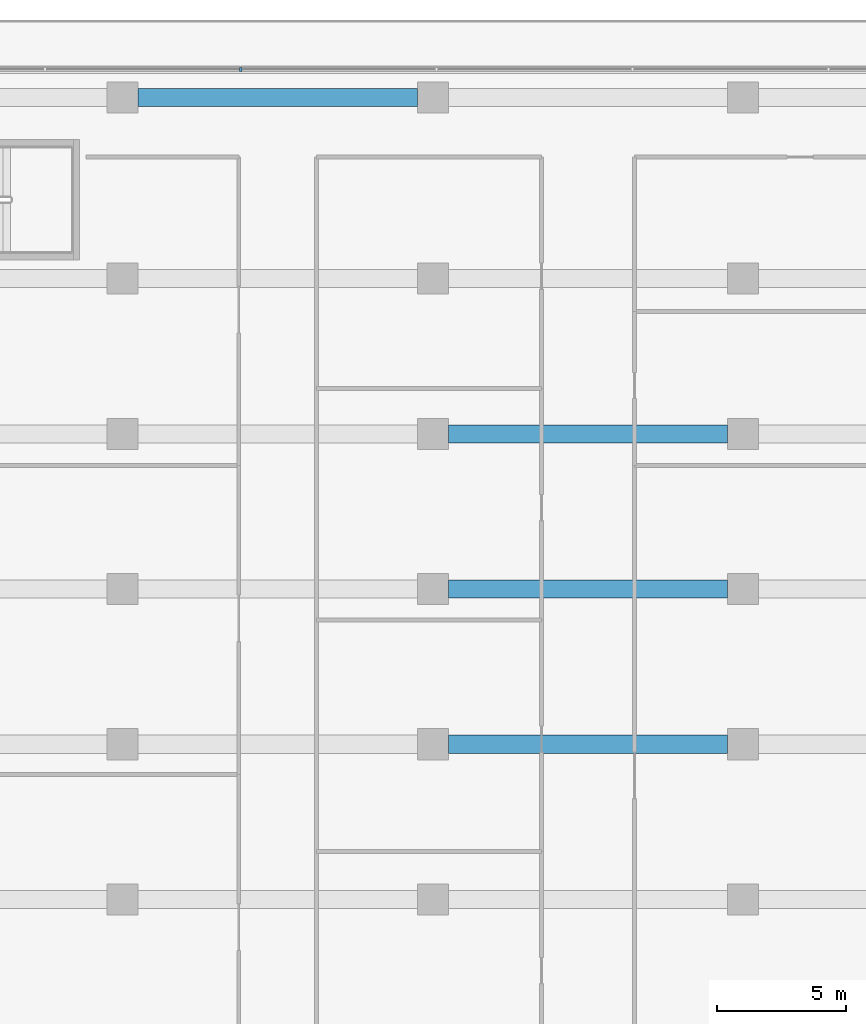
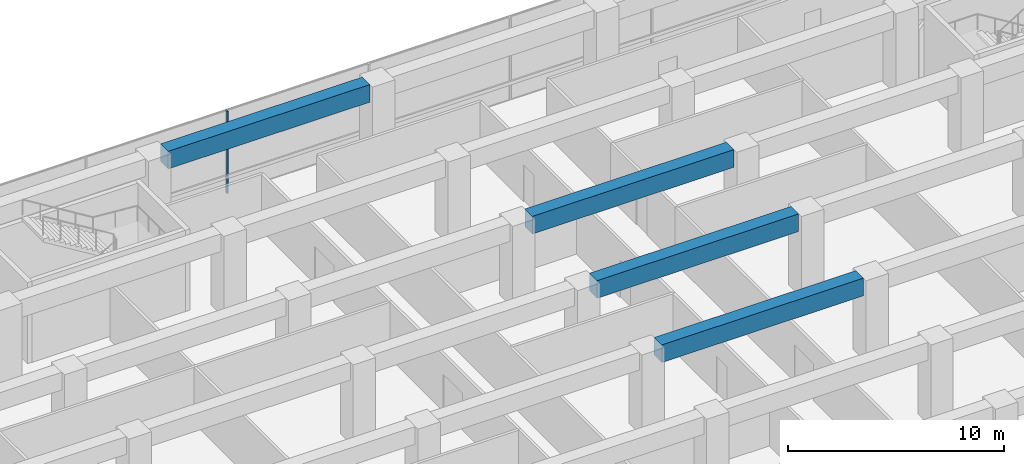
# One storey, part 22 of 40: 4 beams, 1 member, 1 element without a shape of its own.
"""IFC4 building model written with IfcOpenShell, lengths in metres."""

from ifc_helpers import new_model, si_unit, direction, frame, origin, origin_2d, place, context, subcontext, project, spatial, rectangle, extrude, material, layer, layer_set, material_profile, profile_set, type_object, element, aggregate, save


model = new_model("IFC4")

# Units and contexts
model_context = context("Model", 3, precision=1e-05, world=origin(), true_north=direction((0.0, 1.0)))
body_context = subcontext(model_context, "Body", "Model", "MODEL_VIEW")
ifc_project = project(units=[si_unit("LENGTHUNIT", "METRE"), si_unit("AREAUNIT", "SQUARE_METRE"), si_unit("VOLUMEUNIT", "CUBIC_METRE"), si_unit("PLANEANGLEUNIT", "RADIAN"), si_unit("MASSUNIT", "GRAM", prefix="KILO")], contexts=[model_context])

# Site, building, storey
site_placement = place(None, origin())
site = spatial("IfcSite", under=ifc_project, at=site_placement, CompositionType="ELEMENT")
building_placement = place(site_placement, origin())
building = spatial("IfcBuilding", under=site, at=building_placement, Name="Welwitschia Terrace Campus", CompositionType="ELEMENT")
storey_placement = place(building_placement, frame((0.0, 0.0, 6.0)))
storey = spatial("IfcBuildingStorey", under=building, at=storey_placement, Name="L01", CompositionType="ELEMENT", Elevation=6.0)

# Beams
ifc_material_1 = material(Name="Concrete C60/75", Category="concrete")
ifc_material_profile_1 = material_profile(ifc_material_1, rectangle(XDim=0.699951171875, YDim=1.0, at=origin_2d()))
ifc_profile_set_1 = profile_set([ifc_material_profile_1], Name="Concrete C60/75")
beam_type = type_object("IfcBeamType", Name="Base block beam 700x1000", PredefinedType="BEAM", material=ifc_profile_set_1)
for number, where, z_axis, x_axis, name in (
    (1, (60.6005859375, 44.0, 4.10009765625), (1.0, 0.0, 0.0), (0.0, 1.0, 0.0), "Beam BB1"),
    (2, (60.6005859375, 50.0, 4.10009765625), (1.0, 0.0, 0.0), (0.0, 1.0, 0.0), "Beam BB1"),
    (3, (60.6005859375, 56.0, 4.10009765625), (1.0, 0.0, 0.0), (0.0, 1.0, 0.0), "Beam BB1"),
    (4, (48.6005859375, 69.0, 4.10009765625), (1.0, 0.0, 0.0), (0.0, 1.0, 0.0), "Beam BB1"),
):
    element("IfcBeam", number, at=place(storey_placement, frame(where, z_axis=z_axis, x_axis=x_axis)), inside=storey, type_object=beam_type, Name=name, PredefinedType="BEAM", context=body_context, shape_type="SweptSolid", body=[
        extrude(rectangle(XDim=0.699951171875, YDim=1.0, at=origin_2d()), origin(), (0.0, 0.0, 1.0), 10.798828125),
    ])

# Curtain wall, member
ifc_material_2 = material(Name="Bronze anodised aluminium", Category="aluminium")
ifc_layer = layer(ifc_material_2, 0.14990234375)
ifc_layer_set = layer_set([ifc_layer], Name="Bronze anodised aluminium")
curtain_wall_type = type_object("IfcCurtainWallType", Name="Curtain wall CW1 podium 7500", PredefinedType="NOTDEFINED", material=ifc_layer_set)
curtain_wall_placement = place(storey_placement, origin())
curtain_wall = element("IfcCurtainWall", 5, at=curtain_wall_placement, inside=storey, type_object=curtain_wall_type, Name="CW L01.4.0", PredefinedType="NOTDEFINED")
ifc_material_3 = material(Name="Bronze anodised aluminium", Category="aluminium")
ifc_material_profile_2 = material_profile(ifc_material_3, rectangle(XDim=0.14990234375, YDim=0.080078125, at=origin_2d()))
ifc_profile_set_2 = profile_set([ifc_material_profile_2], Name="Bronze anodised aluminium")
member_type = type_object("IfcMemberType", Name="Mullion 80x150", PredefinedType="MULLION", material=ifc_profile_set_2)
member_placement = place(storey_placement, frame((52.574951171875, 70.0849609375, 0.0), z_axis=(0.0, 0.0, 1.0), x_axis=(0.0, -1.0, 0.0)))
member = element("IfcMember", 6, at=member_placement, type_object=member_type, Name="Mullion L01.4.0.5", PredefinedType="MULLION", context=body_context, shape_type="SweptSolid", body=[
    extrude(rectangle(XDim=0.14990234375, YDim=0.080078125, at=origin_2d()), origin(), (0.0, 0.0, 1.0), 4.64990234375),
])
aggregate(curtain_wall, [member])

save(model, "model.ifc")
